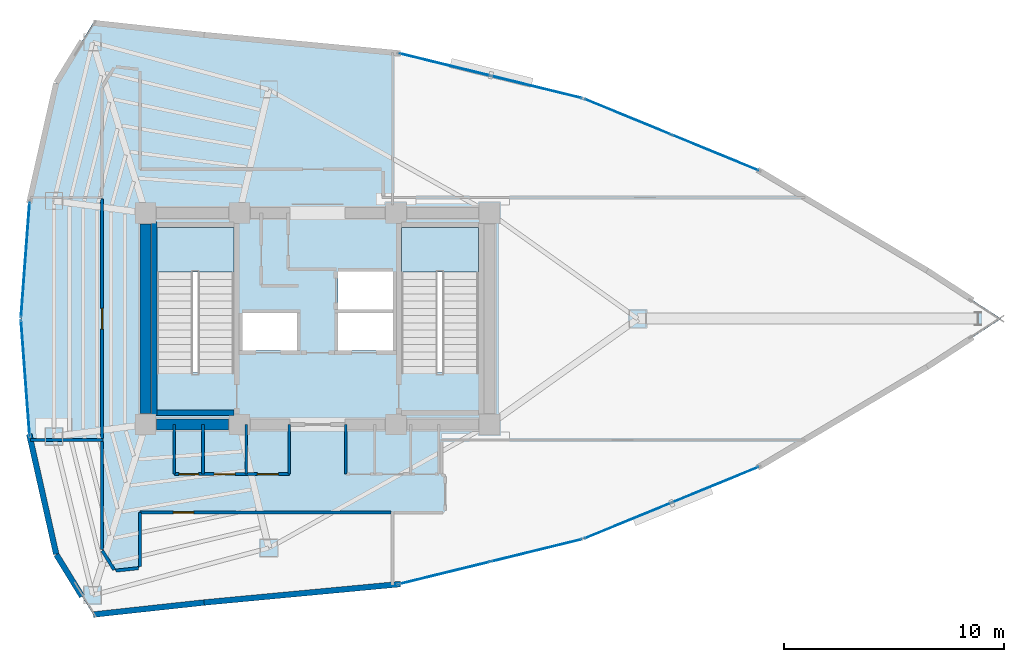
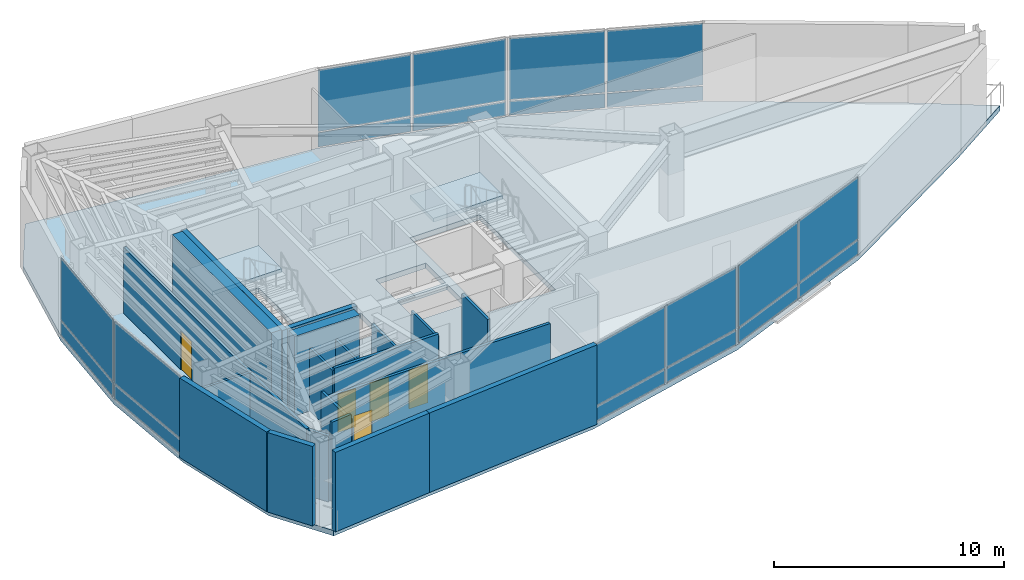
# One storey, part 13 of 17: 21 walls, 20 plates, 5 doors, 3 slabs, 5 openings, 8 elements without a shape of their own.
"""IFC4 building model written with IfcOpenShell, lengths in metres."""

from ifc_helpers import new_model, si_unit, direction, frame, frame_2d, origin, origin_2d, place, context, subcontext, project, spatial, polyline, rectangle, outline, extrude, material, layer, layer_set, type_object, element, fill, aggregate, save


model = new_model("IFC4")

# Units and contexts
model_context = context("Model", 3, precision=1e-05, world=origin(), true_north=direction((0.0, 1.0)))
body_context = subcontext(model_context, "Body", "Model", "MODEL_VIEW")
ifc_project = project(units=[si_unit("LENGTHUNIT", "METRE"), si_unit("AREAUNIT", "SQUARE_METRE"), si_unit("VOLUMEUNIT", "CUBIC_METRE"), si_unit("PLANEANGLEUNIT", "RADIAN"), si_unit("MASSUNIT", "GRAM", prefix="KILO")], contexts=[model_context])

# Site, building, storey
site_placement = place(None, origin())
site = spatial("IfcSite", under=ifc_project, at=site_placement, CompositionType="ELEMENT")
building_placement = place(site_placement, origin())
building = spatial("IfcBuilding", under=site, at=building_placement, Name="Menara Vayukalpa", CompositionType="ELEMENT")
storey_placement = place(building_placement, frame((0.0, 0.0, 238.139892578125)))
storey = spatial("IfcBuildingStorey", under=building, at=storey_placement, Name="L60", CompositionType="ELEMENT", Elevation=238.139892578125)

# Curtain wall, plates
ifc_material_1 = material(Name="Anodised Terracotta Aluminium Alloy 6063-T6", Category="masonry")
ifc_layer_1 = layer(ifc_material_1, 0.179931640625)
ifc_layer_set_1 = layer_set([ifc_layer_1], Name="Anodised Terracotta Aluminium Alloy 6063-T6")
curtain_wall_type = type_object("IfcCurtainWallType", Name="CW-CW4", PredefinedType="USERDEFINED", material=ifc_layer_set_1)
curtain_wall_1_placement = place(storey_placement, origin())
curtain_wall_1 = element("IfcCurtainWall", 1, at=curtain_wall_1_placement, inside=storey, type_object=curtain_wall_type, Name="L60 Sky Bar Cantilever Glazed Curtain Wall CW4 04", ObjectType="UNITISED", PredefinedType="USERDEFINED")
ifc_material_2 = material(Name="Low-E Double Glazing", Category="glass")
ifc_layer_2 = layer(ifc_material_2, 0.0380859375)
ifc_layer_set_2 = layer_set([ifc_layer_2], Name="Low-E Double Glazing")
plate_type = type_object("IfcPlateType", Name="CWP-CW4", PredefinedType="CURTAIN_PANEL", material=ifc_layer_set_2)
plate_1_placement = place(storey_placement, frame((43.641845703125, 29.53271484375, 0.070068359375), z_axis=(0.0, 0.0, 1.0), x_axis=(-0.924970279301, 0.380039448491, 0.0)))
plate_1 = element("IfcPlate", 2, at=plate_1_placement, type_object=plate_type, Name="CW4 panel 1.1", PredefinedType="CURTAIN_PANEL", context=body_context, shape_type="SweptSolid", body=[
    extrude(rectangle(XDim=4.21435546875, YDim=0.0380859375, at=origin_2d()), origin(), (0.0, 0.0, 1.0), 0.7451171875),
])
plate_2_placement = place(storey_placement, frame((43.641845703125, 29.53271484375, 0.88525390625), z_axis=(0.0, 0.0, 1.0), x_axis=(-0.924970279301, 0.380039448491, 0.0)))
plate_2 = element("IfcPlate", 3, at=plate_2_placement, type_object=plate_type, Name="CW4 panel 1.2", PredefinedType="CURTAIN_PANEL", context=body_context, shape_type="SweptSolid", body=[
    extrude(rectangle(XDim=4.21435546875, YDim=0.0380859375, at=origin_2d()), origin(), (0.0, 0.0, 1.0), 3.264892578125),
])
plate_3_placement = place(storey_placement, frame((39.67431640625, 31.16259765625, 0.070068359375), z_axis=(0.0, 0.0, 1.0), x_axis=(-0.924970279301, 0.380039448491, 0.0)))
plate_3 = element("IfcPlate", 4, at=plate_3_placement, type_object=plate_type, Name="CW4 panel 2.1", PredefinedType="CURTAIN_PANEL", context=body_context, shape_type="SweptSolid", body=[
    extrude(rectangle(XDim=4.21435546875, YDim=0.0380859375, at=origin_2d()), origin(), (0.0, 0.0, 1.0), 0.7451171875),
])
plate_4_placement = place(storey_placement, frame((39.67431640625, 31.16259765625, 0.88525390625), z_axis=(0.0, 0.0, 1.0), x_axis=(-0.924970279301, 0.380039448491, 0.0)))
plate_4 = element("IfcPlate", 5, at=plate_4_placement, type_object=plate_type, Name="CW4 panel 2.2", PredefinedType="CURTAIN_PANEL", context=body_context, shape_type="SweptSolid", body=[
    extrude(rectangle(XDim=4.21435546875, YDim=0.0380859375, at=origin_2d()), origin(), (0.0, 0.0, 1.0), 3.264892578125),
])
aggregate(curtain_wall_1, [plate_1, plate_2, plate_3, plate_4])

curtain_wall_2_placement = place(storey_placement, origin())
curtain_wall_2 = element("IfcCurtainWall", 6, at=curtain_wall_2_placement, inside=storey, type_object=curtain_wall_type, Name="L60 Sky Bar Cantilever Glazed Curtain Wall CW4 05", ObjectType="UNITISED", PredefinedType="USERDEFINED")
plate_5_placement = place(storey_placement, frame((35.536376953125, 32.510986328125, 0.070068359375), z_axis=(0.0, 0.0, 1.0), x_axis=(-0.971311749097, 0.237809768652, 0.0)))
plate_5 = element("IfcPlate", 7, at=plate_5_placement, type_object=plate_type, Name="CW4 panel 1.1", PredefinedType="CURTAIN_PANEL", context=body_context, shape_type="SweptSolid", body=[
    extrude(rectangle(XDim=4.21435546875, YDim=0.0380859375, at=origin_2d()), origin(), (0.0, 0.0, 1.0), 0.7451171875),
])
plate_6_placement = place(storey_placement, frame((35.536376953125, 32.510986328125, 0.88525390625), z_axis=(0.0, 0.0, 1.0), x_axis=(-0.971311749097, 0.237809768652, 0.0)))
plate_6 = element("IfcPlate", 8, at=plate_6_placement, type_object=plate_type, Name="CW4 panel 1.2", PredefinedType="CURTAIN_PANEL", context=body_context, shape_type="SweptSolid", body=[
    extrude(rectangle(XDim=4.21435546875, YDim=0.0380859375, at=origin_2d()), origin(), (0.0, 0.0, 1.0), 3.264892578125),
])
plate_7_placement = place(storey_placement, frame((31.3701171875, 33.531005859375, 0.070068359375), z_axis=(0.0, 0.0, 1.0), x_axis=(-0.971311749097, 0.237809768652, 0.0)))
plate_7 = element("IfcPlate", 9, at=plate_7_placement, type_object=plate_type, Name="CW4 panel 2.1", PredefinedType="CURTAIN_PANEL", context=body_context, shape_type="SweptSolid", body=[
    extrude(rectangle(XDim=4.21435546875, YDim=0.0380859375, at=origin_2d()), origin(), (0.0, 0.0, 1.0), 0.7451171875),
])
plate_8_placement = place(storey_placement, frame((31.3701171875, 33.531005859375, 0.88525390625), z_axis=(0.0, 0.0, 1.0), x_axis=(-0.971311749097, 0.237809768652, 0.0)))
plate_8 = element("IfcPlate", 10, at=plate_8_placement, type_object=plate_type, Name="CW4 panel 2.2", PredefinedType="CURTAIN_PANEL", context=body_context, shape_type="SweptSolid", body=[
    extrude(rectangle(XDim=4.21435546875, YDim=0.0380859375, at=origin_2d()), origin(), (0.0, 0.0, 1.0), 3.264892578125),
])
aggregate(curtain_wall_2, [plate_5, plate_6, plate_7, plate_8])

curtain_wall_3_placement = place(storey_placement, origin())
curtain_wall_3 = element("IfcCurtainWall", 11, at=curtain_wall_3_placement, inside=storey, type_object=curtain_wall_type, Name="L60 Sky Bar Cantilever Glazed Curtain Wall CW4 10", ObjectType="UNITISED", PredefinedType="USERDEFINED")
plate_9_placement = place(storey_placement, frame((12.33837890625, 24.67333984375, 0.070068359375), z_axis=(0.0, 0.0, 1.0), x_axis=(-0.074789484574, -0.997199344663, 0.0)))
plate_9 = element("IfcPlate", 12, at=plate_9_placement, type_object=plate_type, Name="CW4 panel 1.1", PredefinedType="CURTAIN_PANEL", context=body_context, shape_type="SweptSolid", body=[
    extrude(rectangle(XDim=5.211669921875, YDim=0.0380859375, at=origin_2d()), origin(), (0.0, 0.0, 1.0), 0.7451171875),
])
plate_10_placement = place(storey_placement, frame((12.33837890625, 24.67333984375, 0.88525390625), z_axis=(0.0, 0.0, 1.0), x_axis=(-0.074789484574, -0.997199344663, 0.0)))
plate_10 = element("IfcPlate", 13, at=plate_10_placement, type_object=plate_type, Name="CW4 panel 1.2", PredefinedType="CURTAIN_PANEL", context=body_context, shape_type="SweptSolid", body=[
    extrude(rectangle(XDim=5.211669921875, YDim=0.0380859375, at=origin_2d()), origin(), (0.0, 0.0, 1.0), 3.264892578125),
])
aggregate(curtain_wall_3, [plate_9, plate_10])

curtain_wall_4_placement = place(storey_placement, origin())
curtain_wall_4 = element("IfcCurtainWall", 14, at=curtain_wall_4_placement, inside=storey, type_object=curtain_wall_type, Name="L60 Sky Bar Cantilever Glazed Curtain Wall CW4 11", ObjectType="UNITISED", PredefinedType="USERDEFINED")
plate_11_placement = place(storey_placement, frame((12.33837890625, 19.32666015625, 0.070068359375), z_axis=(0.0, 0.0, 1.0), x_axis=(0.074789484574, -0.997199344663, 0.0)))
plate_11 = element("IfcPlate", 15, at=plate_11_placement, type_object=plate_type, Name="CW4 panel 1.1", PredefinedType="CURTAIN_PANEL", context=body_context, shape_type="SweptSolid", body=[
    extrude(rectangle(XDim=5.211669921875, YDim=0.0380859375, at=origin_2d()), origin(), (0.0, 0.0, 1.0), 0.7451171875),
])
plate_12_placement = place(storey_placement, frame((12.33837890625, 19.32666015625, 0.88525390625), z_axis=(0.0, 0.0, 1.0), x_axis=(0.074789484574, -0.997199344663, 0.0)))
plate_12 = element("IfcPlate", 16, at=plate_12_placement, type_object=plate_type, Name="CW4 panel 1.2", PredefinedType="CURTAIN_PANEL", context=body_context, shape_type="SweptSolid", body=[
    extrude(rectangle(XDim=5.211669921875, YDim=0.0380859375, at=origin_2d()), origin(), (0.0, 0.0, 1.0), 3.264892578125),
])
aggregate(curtain_wall_4, [plate_11, plate_12])

curtain_wall_5_placement = place(storey_placement, origin())
curtain_wall_5 = element("IfcCurtainWall", 17, at=curtain_wall_5_placement, inside=storey, type_object=curtain_wall_type, Name="L60 Sky Bar Cantilever Glazed Curtain Wall CW4 16", ObjectType="UNITISED", PredefinedType="USERDEFINED")
plate_13_placement = place(storey_placement, frame((31.3701171875, 10.468994140625, 0.070068359375), z_axis=(0.0, 0.0, 1.0), x_axis=(0.971311749097, 0.237809768652, 0.0)))
plate_13 = element("IfcPlate", 18, at=plate_13_placement, type_object=plate_type, Name="CW4 panel 1.1", PredefinedType="CURTAIN_PANEL", context=body_context, shape_type="SweptSolid", body=[
    extrude(rectangle(XDim=4.21435546875, YDim=0.0380859375, at=origin_2d()), origin(), (0.0, 0.0, 1.0), 0.7451171875),
])
plate_14_placement = place(storey_placement, frame((31.3701171875, 10.468994140625, 0.88525390625), z_axis=(0.0, 0.0, 1.0), x_axis=(0.971311749097, 0.237809768652, 0.0)))
plate_14 = element("IfcPlate", 19, at=plate_14_placement, type_object=plate_type, Name="CW4 panel 1.2", PredefinedType="CURTAIN_PANEL", context=body_context, shape_type="SweptSolid", body=[
    extrude(rectangle(XDim=4.21435546875, YDim=0.0380859375, at=origin_2d()), origin(), (0.0, 0.0, 1.0), 3.264892578125),
])
plate_15_placement = place(storey_placement, frame((35.536376953125, 11.489013671875, 0.070068359375), z_axis=(0.0, 0.0, 1.0), x_axis=(0.971311749097, 0.237809768652, 0.0)))
plate_15 = element("IfcPlate", 20, at=plate_15_placement, type_object=plate_type, Name="CW4 panel 2.1", PredefinedType="CURTAIN_PANEL", context=body_context, shape_type="SweptSolid", body=[
    extrude(rectangle(XDim=4.21435546875, YDim=0.0380859375, at=origin_2d()), origin(), (0.0, 0.0, 1.0), 0.7451171875),
])
plate_16_placement = place(storey_placement, frame((35.536376953125, 11.489013671875, 0.88525390625), z_axis=(0.0, 0.0, 1.0), x_axis=(0.971311749097, 0.237809768652, 0.0)))
plate_16 = element("IfcPlate", 21, at=plate_16_placement, type_object=plate_type, Name="CW4 panel 2.2", PredefinedType="CURTAIN_PANEL", context=body_context, shape_type="SweptSolid", body=[
    extrude(rectangle(XDim=4.21435546875, YDim=0.0380859375, at=origin_2d()), origin(), (0.0, 0.0, 1.0), 3.264892578125),
])
aggregate(curtain_wall_5, [plate_13, plate_14, plate_15, plate_16])

curtain_wall_6_placement = place(storey_placement, origin())
curtain_wall_6 = element("IfcCurtainWall", 22, at=curtain_wall_6_placement, inside=storey, type_object=curtain_wall_type, Name="L60 Sky Bar Cantilever Glazed Curtain Wall CW4 17", ObjectType="UNITISED", PredefinedType="USERDEFINED")
plate_17_placement = place(storey_placement, frame((39.67431640625, 12.83740234375, 0.070068359375), z_axis=(0.0, 0.0, 1.0), x_axis=(0.924970279301, 0.380039448491, 0.0)))
plate_17 = element("IfcPlate", 23, at=plate_17_placement, type_object=plate_type, Name="CW4 panel 1.1", PredefinedType="CURTAIN_PANEL", context=body_context, shape_type="SweptSolid", body=[
    extrude(rectangle(XDim=4.21435546875, YDim=0.0380859375, at=origin_2d()), origin(), (0.0, 0.0, 1.0), 0.7451171875),
])
plate_18_placement = place(storey_placement, frame((39.67431640625, 12.83740234375, 0.88525390625), z_axis=(0.0, 0.0, 1.0), x_axis=(0.924970279301, 0.380039448491, 0.0)))
plate_18 = element("IfcPlate", 24, at=plate_18_placement, type_object=plate_type, Name="CW4 panel 1.2", PredefinedType="CURTAIN_PANEL", context=body_context, shape_type="SweptSolid", body=[
    extrude(rectangle(XDim=4.21435546875, YDim=0.0380859375, at=origin_2d()), origin(), (0.0, 0.0, 1.0), 3.264892578125),
])
plate_19_placement = place(storey_placement, frame((43.641845703125, 14.46728515625, 0.070068359375), z_axis=(0.0, 0.0, 1.0), x_axis=(0.924970279301, 0.380039448491, 0.0)))
plate_19 = element("IfcPlate", 25, at=plate_19_placement, type_object=plate_type, Name="CW4 panel 2.1", PredefinedType="CURTAIN_PANEL", context=body_context, shape_type="SweptSolid", body=[
    extrude(rectangle(XDim=4.21435546875, YDim=0.0380859375, at=origin_2d()), origin(), (0.0, 0.0, 1.0), 0.7451171875),
])
plate_20_placement = place(storey_placement, frame((43.641845703125, 14.46728515625, 0.88525390625), z_axis=(0.0, 0.0, 1.0), x_axis=(0.924970279301, 0.380039448491, 0.0)))
plate_20 = element("IfcPlate", 26, at=plate_20_placement, type_object=plate_type, Name="CW4 panel 2.2", PredefinedType="CURTAIN_PANEL", context=body_context, shape_type="SweptSolid", body=[
    extrude(rectangle(XDim=4.21435546875, YDim=0.0380859375, at=origin_2d()), origin(), (0.0, 0.0, 1.0), 3.264892578125),
])
aggregate(curtain_wall_6, [plate_17, plate_18, plate_19, plate_20])

# Slab
ifc_material_3 = material(Name="Concrete C40/50", Category="concrete")
ifc_layer_3 = layer(ifc_material_3, 0.280029296875)
ifc_layer_set_3 = layer_set([ifc_layer_3], Name="Concrete C40/50")
slab_type_1 = type_object("IfcSlabType", Name="SLB-FL280", PredefinedType="FLOOR", material=ifc_layer_set_3)
slab_1_placement = place(storey_placement, frame((0.0, 0.0, -0.27978515625)))
element("IfcSlab", 27, at=slab_1_placement, inside=storey, type_object=slab_type_1, Name="L60 Sky Bar Structural Floor Slab", PredefinedType="FLOOR", context=body_context, shape_type="SweptSolid", body=[
    extrude(outline(polyline([(53.263427734375, 19.816162109375), (56.61474609375, 22.0), (53.263427734375, 24.183837890625), (45.660400390625, 28.703369140625), (37.656005859375, 31.991943359375), (29.250732421875, 34.0498046875), (20.444580078125, 34.877197265625), (15.41748046875, 35.423095703125), (13.741943359375, 32.693359375), (12.5390625, 27.3466796875), (12.137939453125, 22.0), (12.5390625, 16.6533203125), (13.741943359375, 11.306640625), (15.41748046875, 8.576904296875), (20.444580078125, 9.122802734375), (29.250732421875, 9.9501953125), (37.656005859375, 12.008056640625), (45.660400390625, 15.296630859375), (53.263427734375, 19.816162109375)]), holes=[polyline([(21.800048828125, 19.550048828125), (21.800048828125, 26.14990234375), (18.300048828125, 26.14990234375), (18.300048828125, 19.550048828125), (21.800048828125, 19.550048828125)]), polyline([(32.89990234375, 19.550048828125), (32.89990234375, 26.14990234375), (29.39990234375, 26.14990234375), (29.39990234375, 19.550048828125), (32.89990234375, 19.550048828125)]), polyline([(22.179931640625, 20.550048828125), (24.679931640625, 20.550048828125), (24.679931640625, 22.27001953125), (22.179931640625, 22.27001953125), (22.179931640625, 20.550048828125)]), polyline([(26.52001953125, 20.550048828125), (29.02001953125, 20.550048828125), (29.02001953125, 22.27001953125), (26.52001953125, 22.27001953125), (26.52001953125, 20.550048828125)]), polyline([(26.52001953125, 22.419921875), (29.02001953125, 22.419921875), (29.02001953125, 24.139892578125), (26.52001953125, 24.139892578125), (26.52001953125, 22.419921875)])]), origin(), (0.0, 0.0, 1.0), 0.27978515625),
])

# Stair, slab
ifc_material_4 = material(Name="Precast Concrete C40/50", Category="concrete")
stair_type = type_object("IfcStairType", Name="STR-T06", PredefinedType="DOUBLE_RETURN_STAIR", material=ifc_material_4)
stair_1_placement = place(storey_placement, origin())
stair_1 = element("IfcStair", 28, at=stair_1_placement, inside=storey, type_object=stair_type, Name="L60 Core Exit Stair ST-1", PredefinedType="DOUBLE_RETURN_STAIR")
ifc_material_5 = material(Name="Precast Concrete C40/50", Category="concrete")
ifc_layer_4 = layer(ifc_material_5, 0.199951171875)
ifc_layer_set_4 = layer_set([ifc_layer_4], Name="Precast Concrete C40/50")
slab_type_2 = type_object("IfcSlabType", Name="SLB-LND200", PredefinedType="LANDING", material=ifc_layer_set_4)
slab_2_placement = place(storey_placement, frame((0.0, 0.0, 2.050048828125)))
slab_2 = element("IfcSlab", 29, at=slab_2_placement, type_object=slab_type_2, Name="ST-1 landing 1", PredefinedType="LANDING", context=body_context, shape_type="SweptSolid", body=[
    extrude(outline(polyline([(21.800048828125, 24.1201171875), (21.800048828125, 26.14990234375), (18.300048828125, 26.14990234375), (18.300048828125, 24.1201171875), (21.800048828125, 24.1201171875)])), origin(), (0.0, 0.0, 1.0), 0.199951171875),
])
aggregate(stair_1, [slab_2])

stair_2_placement = place(storey_placement, origin())
stair_2 = element("IfcStair", 30, at=stair_2_placement, inside=storey, type_object=stair_type, Name="L60 Core Exit Stair ST-2", PredefinedType="DOUBLE_RETURN_STAIR")
slab_3_placement = place(storey_placement, frame((0.0, 0.0, 2.050048828125)))
slab_3 = element("IfcSlab", 31, at=slab_3_placement, type_object=slab_type_2, Name="ST-2 landing 1", PredefinedType="LANDING", context=body_context, shape_type="SweptSolid", body=[
    extrude(outline(polyline([(32.89990234375, 24.1201171875), (32.89990234375, 26.14990234375), (29.39990234375, 26.14990234375), (29.39990234375, 24.1201171875), (32.89990234375, 24.1201171875)])), origin(), (0.0, 0.0, 1.0), 0.199951171875),
])
aggregate(stair_2, [slab_3])

# Walls
ifc_material_6 = material(Name="Concrete C60/75", Category="concrete")
ifc_layer_5 = layer(ifc_material_6, 0.5)
ifc_layer_set_5 = layer_set([ifc_layer_5], Name="Concrete C60/75")
wall_type_1 = type_object("IfcWallType", Name="WAL-CW500", PredefinedType="SHEAR", material=ifc_layer_set_5)
wall_1_placement = place(storey_placement, frame((18.294921875, 17.199951171875, 0.0), z_axis=(0.0, 0.0, 1.0), x_axis=(1.0, 0.0, 0.0)))
element("IfcWall", 32, at=wall_1_placement, inside=storey, type_object=wall_type_1, Name="L60 Buttressed Core Shear Wall CWS1", PredefinedType="SHEAR", context=body_context, shape_type="SweptSolid", body=[
    extrude(rectangle(XDim=3.260009765625, YDim=0.5, at=frame_2d((1.6298828125, 0.0))), origin(), (0.0, 0.0, 1.0), 4.22021484375),
])
wall_2_placement = place(storey_placement, frame((17.800048828125, 17.695068359375, 0.0), z_axis=(0.0, 0.0, 1.0), x_axis=(0.0, 1.0, 0.0)))
element("IfcWall", 33, at=wall_2_placement, inside=storey, type_object=wall_type_1, Name="L60 Buttressed Core Shear Wall CWW1", PredefinedType="SHEAR", context=body_context, shape_type="SweptSolid", body=[
    extrude(rectangle(XDim=8.60986328125, YDim=0.5, at=frame_2d((4.304931640625, 0.0))), origin(), (0.0, 0.0, 1.0), 4.22021484375),
])
ifc_material_7 = material(Name="Insulated Precast Concrete C40/50", Category="concrete")
ifc_layer_6 = layer(ifc_material_7, 0.260009765625)
ifc_layer_set_6 = layer_set([ifc_layer_6], Name="Insulated Precast Concrete C40/50")
wall_type_2 = type_object("IfcWallType", Name="WAL-EXT260", PredefinedType="PARTITIONING", material=ifc_layer_set_6)
wall_3_placement = place(storey_placement, frame((13.73974609375, 11.316650390625, 0.0), z_axis=(0.0, 0.0, 1.0), x_axis=(-0.219510112872, 0.975610224601, 0.0)))
element("IfcWall", 34, at=wall_3_placement, inside=storey, type_object=wall_type_2, Name="L60 Perimeter Terracotta Pier Wall 12", PredefinedType="PARTITIONING", context=body_context, shape_type="SweptSolid", body=[
    extrude(rectangle(XDim=5.579833984375, YDim=0.260009765625, at=frame_2d((2.7900390625, 0.0))), origin(), (0.0, 0.0, 1.0), 4.22021484375),
])
wall_4_placement = place(storey_placement, frame((14.912353515625, 9.39990234375, 0.0), z_axis=(0.0, 0.0, 1.0), x_axis=(-0.52314291314, 0.852244972077, 0.0)))
element("IfcWall", 35, at=wall_4_placement, inside=storey, type_object=wall_type_2, Name="L60 Perimeter Terracotta Pier Wall 13", PredefinedType="PARTITIONING", context=body_context, shape_type="SweptSolid", body=[
    extrude(rectangle(XDim=2.22705078125, YDim=0.260009765625, at=frame_2d((1.113525390625, 0.0))), origin(), (0.0, 0.0, 1.0), 4.22021484375),
])
wall_5_placement = place(storey_placement, frame((20.450439453125, 9.123291015625, 0.0), z_axis=(0.0, 0.0, 1.0), x_axis=(-0.994158757437, -0.107927591518, 0.0)))
element("IfcWall", 36, at=wall_5_placement, inside=storey, type_object=wall_type_2, Name="L60 Perimeter Terracotta Pier Wall 14", PredefinedType="PARTITIONING", context=body_context, shape_type="SweptSolid", body=[
    extrude(rectangle(XDim=5.0625, YDim=0.260009765625, at=frame_2d((2.53125, 0.0))), origin(), (0.0, 0.0, 1.0), 4.22021484375),
])
wall_6_placement = place(storey_placement, frame((29.360107421875, 9.96044921875, 0.0), z_axis=(0.0, 0.0, 1.0), x_axis=(-0.995616246459, -0.093532292754, 0.0)))
element("IfcWall", 37, at=wall_6_placement, inside=storey, type_object=wall_type_2, Name="L60 Perimeter Terracotta Pier Wall 15", PredefinedType="PARTITIONING", context=body_context, shape_type="SweptSolid", body=[
    extrude(rectangle(XDim=8.9609375, YDim=0.260009765625, at=frame_2d((4.48046875, 0.0))), origin(), (0.0, 0.0, 1.0), 4.22021484375),
])
ifc_material_8 = material(Name="Acoustic Mineral Stud Partition", Category="masonry")
ifc_layer_7 = layer(ifc_material_8, 0.110107421875)
ifc_layer_set_7 = layer_set([ifc_layer_7], Name="Acoustic Mineral Stud Partition")
wall_type_3 = type_object("IfcWallType", Name="WAL-PT110", PredefinedType="PARTITIONING", material=ifc_layer_set_7)
for number, where, z_axis, x_axis, name in (
    (38, (19.10009765625, 14.949951171875, 0.0), (0.0, 0.0, 1.0), (0.0, 1.0, 0.0), "L60 Interior Partition IW-L60-SVCD-01"),
    (39, (24.320068359375, 14.949951171875, 0.0), (0.0, 0.0, 1.0), (0.0, 1.0, 0.0), "L60 Interior Partition IW-L60-SVCD-04"),
):
    element("IfcWall", number, at=place(storey_placement, frame(where, z_axis=z_axis, x_axis=x_axis)), inside=storey, type_object=wall_type_3, Name=name, PredefinedType="PARTITIONING", context=body_context, shape_type="SweptSolid", body=[
        extrude(rectangle(XDim=2.25, YDim=0.110107421875, at=frame_2d((1.125, 0.0))), origin(), (0.0, 0.0, 1.0), 3.35009765625),
    ])
ifc_material_9 = material(Name="Gypsum Drywall Steel Stud Assembly", Category="steel")
ifc_layer_8 = layer(ifc_material_9, 0.125)
ifc_layer_set_8 = layer_set([ifc_layer_8], Name="Gypsum Drywall Steel Stud Assembly")
wall_type_4 = type_object("IfcWallType", Name="WAL-PT125", PredefinedType="PARTITIONING", material=ifc_layer_set_8)
for number, where, z_axis, x_axis, name in (
    (40, (20.39990234375, 14.949951171875, 0.0), (0.0, 0.0, 1.0), (0.0, 1.0, 0.0), "L60 Interior Partition IW-L60-SVCD-02"),
    (41, (22.360107421875, 14.949951171875, 0.0), (0.0, 0.0, 1.0), (0.0, 1.0, 0.0), "L60 Interior Partition IW-L60-SVCD-03"),
    (42, (26.8798828125, 14.949951171875, 0.0), (0.0, 0.0, 1.0), (0.0, 1.0, 0.0), "L60 Interior Partition IW-L60-SVCD-05"),
):
    element("IfcWall", number, at=place(storey_placement, frame(where, z_axis=z_axis, x_axis=x_axis)), inside=storey, type_object=wall_type_4, Name=name, PredefinedType="PARTITIONING", context=body_context, shape_type="SweptSolid", body=[
        extrude(rectangle(XDim=2.25, YDim=0.125, at=frame_2d((1.125, 0.0))), origin(), (0.0, 0.0, 1.0), 3.35009765625),
    ])
wall_7_placement = place(storey_placement, frame((12.563232421875, 16.5, 0.0), z_axis=(0.0, 0.0, 1.0), x_axis=(1.0, 0.0, 0.0)))
element("IfcWall", 43, at=wall_7_placement, inside=storey, type_object=wall_type_4, Name="L60 Interior Partition IW-L60-RDIV03", PredefinedType="PARTITIONING", context=body_context, shape_type="SweptSolid", body=[
    extrude(rectangle(XDim=3.306884765625, YDim=0.125, at=frame_2d((1.6533203125, 0.0))), origin(), (0.0, 0.0, 1.0), 3.5),
])

# Wall, openings, doors
ifc_material_10 = material(Name="Gypsum Drywall Acoustic Stud Assembly", Category="masonry")
ifc_layer_9 = layer(ifc_material_10, 0.14501953125)
ifc_layer_set_9 = layer_set([ifc_layer_9], Name="Gypsum Drywall Acoustic Stud Assembly")
wall_type_5 = type_object("IfcWallType", Name="WAL-PT150", PredefinedType="PARTITIONING", material=ifc_layer_set_9)
wall_8_placement = place(storey_placement, frame((19.10009765625, 14.949951171875, 0.0), z_axis=(0.0, 0.0, 1.0), x_axis=(1.0, 0.0, 0.0)))
wall_8 = element("IfcWall", 44, at=wall_8_placement, inside=storey, type_object=wall_type_5, Name="L60 Interior Partition IW-L60-SVCS-W", PredefinedType="PARTITIONING", context=body_context, shape_type="SweptSolid", body=[
    extrude(rectangle(XDim=5.219970703125, YDim=0.14501953125, at=frame_2d((2.60986328125, 0.0))), origin(), (0.0, 0.0, 1.0), 3.5),
])
opening_1_placement = place(wall_8_placement, frame((0.199951171875, 0.0, 0.0)))
opening_1 = element("IfcOpeningElement", 45, at=opening_1_placement, cuts=wall_8, Name="Opening ID7", PredefinedType="OPENING", context=body_context, shape_type="SweptSolid", body=[
    extrude(rectangle(XDim=0.89990234375, YDim=2.02001953125, at=frame_2d((0.449951171875, 1.010009765625))), frame((0.0, 0.08251953125, 0.0), z_axis=(0.0, -1.0, 0.0), x_axis=(1.0, 0.0, 0.0)), (0.0, 0.0, 1.0), 0.1650390625),
])
opening_2_placement = place(wall_8_placement, frame((1.804931640625, 0.0, 0.0)))
opening_2 = element("IfcOpeningElement", 46, at=opening_2_placement, cuts=wall_8, Name="Opening ID5", PredefinedType="OPENING", context=body_context, shape_type="SweptSolid", body=[
    extrude(rectangle(XDim=0.949951171875, YDim=2.06005859375, at=frame_2d((0.47509765625, 1.030029296875))), frame((0.0, 0.08251953125, 0.0), z_axis=(0.0, -1.0, 0.0), x_axis=(1.0, 0.0, 0.0)), (0.0, 0.0, 1.0), 0.1650390625),
])
opening_3_placement = place(wall_8_placement, frame((3.764892578125, 0.0, 0.0)))
opening_3 = element("IfcOpeningElement", 47, at=opening_3_placement, cuts=wall_8, Name="Opening ID5", PredefinedType="OPENING", context=body_context, shape_type="SweptSolid", body=[
    extrude(rectangle(XDim=0.949951171875, YDim=2.06005859375, at=frame_2d((0.47509765625, 1.030029296875))), frame((0.0, 0.08251953125, 0.0), z_axis=(0.0, -1.0, 0.0), x_axis=(1.0, 0.0, 0.0)), (0.0, 0.0, 1.0), 0.1650390625),
])
ifc_material_11 = material(Name="Acoustic Hardwood Veneer Timber Door", Category="wood")
door_type_1 = type_object("IfcDoorType", Name="DR-INT95", OperationType="NOTDEFINED", PredefinedType="DOOR", material=ifc_material_11)
door_1_placement = place(opening_2_placement, origin())
door_1 = element("IfcDoor", 48, at=door_1_placement, inside=storey, type_object=door_type_1, Name="L60 Interior Door DR-L60-AWC", OperationType="SINGLE_SWING_RIGHT", OverallHeight=2.06005859375, OverallWidth=0.949951171875, PredefinedType="DOOR", context=body_context, shape_type="SweptSolid", body=[
    extrude(rectangle(XDim=0.949951171875, YDim=2.06005859375, at=frame_2d((0.47509765625, 1.030029296875))), frame((0.0, 0.02490234375, 0.0), z_axis=(0.0, -1.0, 0.0), x_axis=(1.0, 0.0, 0.0)), (0.0, 0.0, 1.0), 0.050048828125),
])
fill(opening_2, door_1)
door_2_placement = place(opening_3_placement, origin())
door_2 = element("IfcDoor", 49, at=door_2_placement, inside=storey, type_object=door_type_1, Name="L60 Interior Door DR-L60-SWC", OperationType="SINGLE_SWING_LEFT", OverallHeight=2.06005859375, OverallWidth=0.949951171875, PredefinedType="DOOR", context=body_context, shape_type="SweptSolid", body=[
    extrude(rectangle(XDim=0.949951171875, YDim=2.06005859375, at=frame_2d((0.47509765625, 1.030029296875))), frame((0.0, 0.02490234375, 0.0), z_axis=(0.0, -1.0, 0.0), x_axis=(1.0, 0.0, 0.0)), (0.0, 0.0, 1.0), 0.050048828125),
])
fill(opening_3, door_2)
ifc_material_12 = material(Name="Powder-Coated Steel Riser Access Door", Category="steel")
door_type_2 = type_object("IfcDoorType", Name="DR-RISER", OperationType="NOTDEFINED", PredefinedType="DOOR", material=ifc_material_12)
door_3_placement = place(opening_1_placement, origin())
door_3 = element("IfcDoor", 50, at=door_3_placement, inside=storey, type_object=door_type_2, Name="L60 Interior Door DR-L60-ELR", OperationType="SINGLE_SWING_LEFT", OverallHeight=2.02001953125, OverallWidth=0.89990234375, PredefinedType="DOOR", context=body_context, shape_type="SweptSolid", body=[
    extrude(rectangle(XDim=0.89990234375, YDim=2.02001953125, at=frame_2d((0.449951171875, 1.010009765625))), frame((0.0, 0.02490234375, 0.0), z_axis=(0.0, -1.0, 0.0), x_axis=(1.0, 0.0, 0.0)), (0.0, 0.0, 1.0), 0.050048828125),
])
fill(opening_1, door_3)

# Walls
wall_9_placement = place(storey_placement, frame((15.820068359375, 16.429931640625, 0.0), z_axis=(0.0, 0.0, 1.0), x_axis=(0.0, -1.0, 0.0)))
element("IfcWall", 51, at=wall_9_placement, inside=storey, type_object=wall_type_5, Name="L60 Interior Partition IW-L60-CRM02-1", PredefinedType="PARTITIONING", context=body_context, shape_type="SweptSolid", body=[
    extrude(rectangle(XDim=4.911376953125, YDim=0.14501953125, at=frame_2d((2.45556640625, 0.0))), origin(), (0.0, 0.0, 1.0), 3.5),
])
wall_10_placement = place(storey_placement, frame((15.831787109375, 11.4765625, 0.0), z_axis=(0.0, 0.0, 1.0), x_axis=(0.523122844464, -0.852257290729, 0.0)))
element("IfcWall", 52, at=wall_10_placement, inside=storey, type_object=wall_type_5, Name="L60 Interior Partition IW-L60-CRM02-2", PredefinedType="PARTITIONING", context=body_context, shape_type="SweptSolid", body=[
    extrude(rectangle(XDim=1.020751953125, YDim=0.14501953125, at=frame_2d((0.51025390625, 0.0))), origin(), (0.0, 0.0, 1.0), 3.5),
])
wall_11_placement = place(storey_placement, frame((16.4423828125, 10.569091796875, 0.0), z_axis=(0.0, 0.0, 1.0), x_axis=(0.994140595739, 0.108094754283, 0.0)))
element("IfcWall", 53, at=wall_11_placement, inside=storey, type_object=wall_type_5, Name="L60 Interior Partition IW-L60-CRM02-3", PredefinedType="PARTITIONING", context=body_context, shape_type="SweptSolid", body=[
    extrude(rectangle(XDim=1.0322265625, YDim=0.14501953125, at=frame_2d((0.51611328125, 0.0))), origin(), (0.0, 0.0, 1.0), 4.22021484375),
])
wall_12_placement = place(storey_placement, frame((17.5400390625, 10.760009765625, 0.0), z_axis=(0.0, 0.0, 1.0), x_axis=(0.0, 1.0, 0.0)))
element("IfcWall", 54, at=wall_12_placement, inside=storey, type_object=wall_type_5, Name="L60 Interior Partition IW-L60-CRM02-4", PredefinedType="PARTITIONING", context=body_context, shape_type="SweptSolid", body=[
    extrude(rectangle(XDim=2.449951171875, YDim=0.14501953125, at=frame_2d((1.22509765625, 0.0))), origin(), (0.0, 0.0, 1.0), 3.85009765625),
])

# Wall, opening, door
wall_13_placement = place(storey_placement, frame((17.5400390625, 13.2099609375, 0.0), z_axis=(0.0, 0.0, 1.0), x_axis=(1.0, 0.0, 0.0)))
wall_13 = element("IfcWall", 55, at=wall_13_placement, inside=storey, type_object=wall_type_5, Name="L60 Interior Partition IW-L60-CRM02-5", PredefinedType="PARTITIONING", context=body_context, shape_type="SweptSolid", body=[
    extrude(rectangle(XDim=11.389892578125, YDim=0.14501953125, at=frame_2d((5.69482421875, 0.0))), origin(), (0.0, 0.0, 1.0), 3.5),
])
opening_4_placement = place(wall_13_placement, frame((1.518798828125, 0.0, 0.0)))
opening_4 = element("IfcOpeningElement", 56, at=opening_4_placement, cuts=wall_13, Name="Opening ID6", PredefinedType="OPENING", context=body_context, shape_type="SweptSolid", body=[
    extrude(rectangle(XDim=0.919921875, YDim=2.050048828125, at=frame_2d((0.4599609375, 1.02490234375))), frame((0.0, 0.08251953125, 0.0), z_axis=(0.0, -1.0, 0.0), x_axis=(1.0, 0.0, 0.0)), (0.0, 0.0, 1.0), 0.1650390625),
])
ifc_material_13 = material(Name="Acoustic Hardwood Veneer Timber Door", Category="wood")
door_type_3 = type_object("IfcDoorType", Name="DR-INT92", OperationType="NOTDEFINED", PredefinedType="DOOR", material=ifc_material_13)
door_4_placement = place(opening_4_placement, origin())
door_4 = element("IfcDoor", 57, at=door_4_placement, inside=storey, type_object=door_type_3, Name="L60 Interior Door DR-L60-RM02", OperationType="SINGLE_SWING_LEFT", OverallHeight=2.050048828125, OverallWidth=0.919921875, PredefinedType="DOOR", context=body_context, shape_type="SweptSolid", body=[
    extrude(rectangle(XDim=0.919921875, YDim=2.050048828125, at=frame_2d((0.4599609375, 1.02490234375))), frame((0.0, 0.02490234375, 0.0), z_axis=(0.0, -1.0, 0.0), x_axis=(1.0, 0.0, 0.0)), (0.0, 0.0, 1.0), 0.050048828125),
])
fill(opening_4, door_4)

wall_14_placement = place(storey_placement, frame((15.820068359375, 27.429931640625, 0.0), z_axis=(0.0, 0.0, 1.0), x_axis=(0.0, -1.0, 0.0)))
wall_14 = element("IfcWall", 58, at=wall_14_placement, inside=storey, type_object=wall_type_5, Name="L60 Interior Partition IW-L60-CRM07-1", PredefinedType="PARTITIONING", context=body_context, shape_type="SweptSolid", body=[
    extrude(rectangle(XDim=10.85986328125, YDim=0.14501953125, at=frame_2d((5.429931640625, 0.0))), origin(), (0.0, 0.0, 1.0), 3.5),
])
opening_5_placement = place(wall_14_placement, frame((4.955078125, 0.0, 0.0)))
opening_5 = element("IfcOpeningElement", 59, at=opening_5_placement, cuts=wall_14, Name="Opening ID5", PredefinedType="OPENING", context=body_context, shape_type="SweptSolid", body=[
    extrude(rectangle(XDim=0.949951171875, YDim=2.06005859375, at=frame_2d((0.47509765625, 1.030029296875))), frame((0.0, 0.08251953125, 0.0), z_axis=(0.0, -1.0, 0.0), x_axis=(1.0, 0.0, 0.0)), (0.0, 0.0, 1.0), 0.1650390625),
])
door_5_placement = place(opening_5_placement, origin())
door_5 = element("IfcDoor", 60, at=door_5_placement, inside=storey, type_object=door_type_1, Name="L60 Interior Door DR-L60-RM07", OperationType="SINGLE_SWING_RIGHT", OverallHeight=2.06005859375, OverallWidth=0.949951171875, PredefinedType="DOOR", context=body_context, shape_type="SweptSolid", body=[
    extrude(rectangle(XDim=0.949951171875, YDim=2.06005859375, at=frame_2d((0.47509765625, 1.030029296875))), frame((0.0, 0.02490234375, 0.0), z_axis=(0.0, -1.0, 0.0), x_axis=(1.0, 0.0, 0.0)), (0.0, 0.0, 1.0), 0.050048828125),
])
fill(opening_5, door_5)

# Walls
ifc_material_14 = material(Name="Concrete C50/60", Category="concrete")
ifc_layer_10 = layer(ifc_material_14, 0.25)
ifc_layer_set_10 = layer_set([ifc_layer_10], Name="Concrete C50/60")
wall_type_6 = type_object("IfcWallType", Name="WAL-SW250", PredefinedType="SHEAR", material=ifc_layer_set_10)
wall_15_placement = place(storey_placement, frame((18.178955078125, 17.60009765625, 0.0), z_axis=(0.0, 0.0, 1.0), x_axis=(0.0, 1.0, 0.0)))
element("IfcWall", 61, at=wall_15_placement, inside=storey, type_object=wall_type_6, Name="L60 ST1 Structural Stair Shaft Wall W", PredefinedType="SHEAR", context=body_context, shape_type="SweptSolid", body=[
    extrude(rectangle(XDim=8.7998046875, YDim=0.25, at=frame_2d((4.39990234375, 0.0))), origin(), (0.0, 0.0, 1.0), 4.22021484375),
])
wall_16_placement = place(storey_placement, frame((18.303955078125, 17.72509765625, 0.0), z_axis=(0.0, 0.0, 1.0), x_axis=(1.0, 0.0, 0.0)))
element("IfcWall", 62, at=wall_16_placement, inside=storey, type_object=wall_type_6, Name="L60 ST1 Structural Stair Shaft Wall S", PredefinedType="SHEAR", context=body_context, shape_type="SweptSolid", body=[
    extrude(rectangle(XDim=3.49609375, YDim=0.25, at=frame_2d((1.748046875, 0.0))), origin(), (0.0, 0.0, 1.0), 4.22021484375),
])

save(model, "model.ifc")
